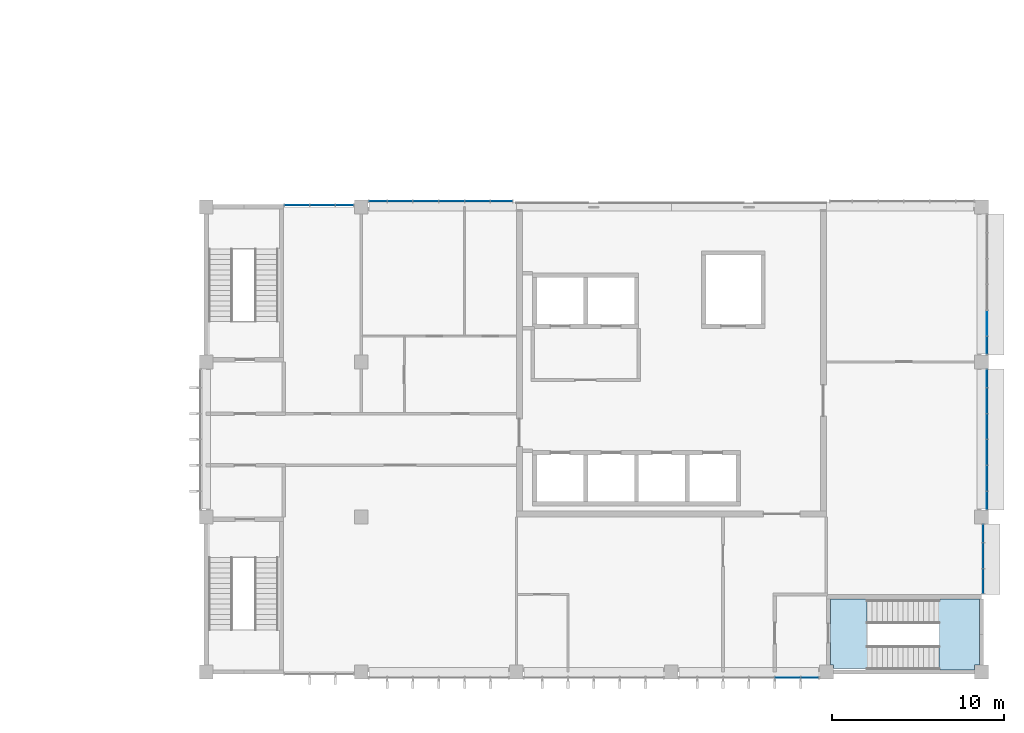
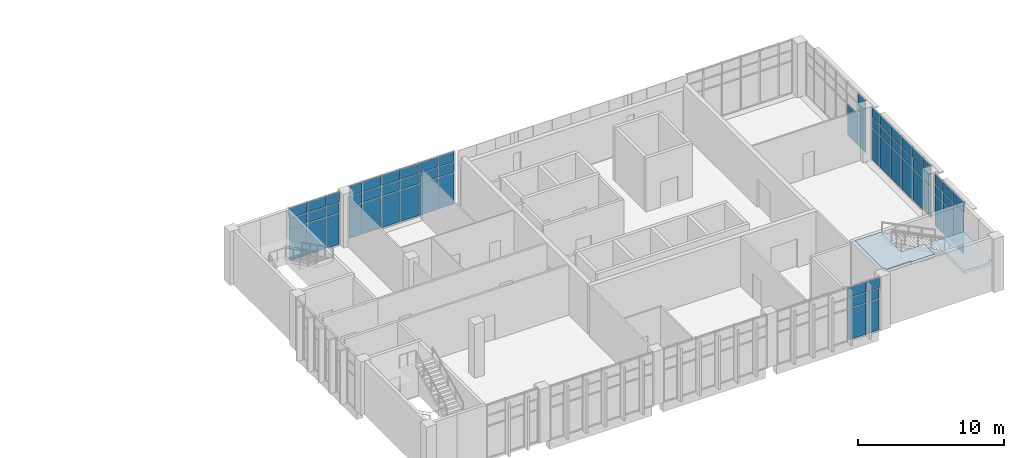
# One storey, part 20 of 40: 64 plates, 2 slabs, 7 elements without a shape of their own.
"""IFC4 building model written with IfcOpenShell, lengths in metres."""

from ifc_helpers import new_model, si_unit, direction, frame, origin, origin_2d, place, context, subcontext, project, spatial, polyline, rectangle, outline, extrude, material, layer, layer_set, type_object, element, aggregate, save


model = new_model("IFC4")

# Units and contexts
model_context = context("Model", 3, precision=1e-05, world=origin(), true_north=direction((0.0, 1.0)))
body_context = subcontext(model_context, "Body", "Model", "MODEL_VIEW")
ifc_project = project(units=[si_unit("LENGTHUNIT", "METRE"), si_unit("AREAUNIT", "SQUARE_METRE"), si_unit("VOLUMEUNIT", "CUBIC_METRE"), si_unit("PLANEANGLEUNIT", "RADIAN"), si_unit("MASSUNIT", "GRAM", prefix="KILO")], contexts=[model_context])

# Site, building, storey
site_placement = place(None, origin())
site = spatial("IfcSite", under=ifc_project, at=site_placement, CompositionType="ELEMENT")
building_placement = place(site_placement, origin())
building = spatial("IfcBuilding", under=site, at=building_placement, Name="Guidao Yard Department Store", CompositionType="ELEMENT")
storey_placement = place(building_placement, frame((0.0, 0.0, 24.0)))
storey = spatial("IfcBuildingStorey", under=building, at=storey_placement, Name="L05", CompositionType="ELEMENT", Elevation=24.0)

# Curtain wall, plates
ifc_material_1 = material(Name="Aluminium and glass", Category="aluminium")
ifc_layer_1 = layer(ifc_material_1, 0.159912109375)
ifc_layer_set_1 = layer_set([ifc_layer_1], Name="Unitised curtain wall CW4 1500 module")
curtain_wall_type = type_object("IfcCurtainWallType", Name="Unitised curtain wall CW4 1500 module", PredefinedType="NOTDEFINED", material=ifc_layer_set_1)
curtain_wall_1_placement = place(storey_placement, origin())
curtain_wall_1 = element("IfcCurtainWall", 1, at=curtain_wall_1_placement, inside=storey, type_object=curtain_wall_type, Name="Unitised curtain wall", PredefinedType="NOTDEFINED")
ifc_material_2 = material(Name="Aluminium 6063-T5 faced insulated spandrel", Category="aluminium")
ifc_layer_2 = layer(ifc_material_2, 0.06005859375)
ifc_layer_set_2 = layer_set([ifc_layer_2], Name="Spandrel panel SP1 insulated opaque")
plate_type_1 = type_object("IfcPlateType", Name="Spandrel panel SP1 insulated opaque", PredefinedType="CURTAIN_PANEL", material=ifc_layer_set_2)
plate_1_placement = place(storey_placement, frame((159.75, -0.330078125, 3.6298828125), z_axis=(0.0, 0.0, 1.0), x_axis=(-1.0, 0.0, 0.0)))
plate_1 = element("IfcPlate", 2, at=plate_1_placement, type_object=plate_type_1, Name="CW-OW-L05-04 panel 5.3", PredefinedType="CURTAIN_PANEL", context=body_context, shape_type="SweptSolid", body=[
    extrude(rectangle(XDim=1.43994140625, YDim=0.06005859375, at=origin_2d()), origin(), (0.0, 0.0, 1.0), 0.81005859375),
])
plate_2_placement = place(storey_placement, frame((161.034912109375, -0.330078125, 3.6298828125), z_axis=(0.0, 0.0, 1.0), x_axis=(-1.0, 0.0, 0.0)))
plate_2 = element("IfcPlate", 3, at=plate_2_placement, type_object=plate_type_1, Name="CW-OW-L05-04 panel 6.3", PredefinedType="CURTAIN_PANEL", context=body_context, shape_type="SweptSolid", body=[
    extrude(rectangle(XDim=1.010009765625, YDim=0.06005859375, at=origin_2d()), origin(), (0.0, 0.0, 1.0), 0.81005859375),
])

curtain_wall_2_placement = place(storey_placement, origin())
curtain_wall_2 = element("IfcCurtainWall", 4, at=curtain_wall_2_placement, inside=storey, type_object=curtain_wall_type, Name="Unitised curtain wall", PredefinedType="NOTDEFINED")
plate_3_placement = place(storey_placement, frame((131.264892578125, 27.10009765625, 3.6298828125), z_axis=(0.0, 0.0, 1.0), x_axis=(1.0, 0.0, 0.0)))
plate_3 = element("IfcPlate", 5, at=plate_3_placement, type_object=plate_type_1, Name="CW-OW-L05-06 panel 1.3", PredefinedType="CURTAIN_PANEL", context=body_context, shape_type="SweptSolid", body=[
    extrude(rectangle(XDim=1.409912109375, YDim=0.06005859375, at=origin_2d()), origin(), (0.0, 0.0, 1.0), 0.81005859375),
])
plate_4_placement = place(storey_placement, frame((132.75, 27.10009765625, 3.6298828125), z_axis=(0.0, 0.0, 1.0), x_axis=(1.0, 0.0, 0.0)))
plate_4 = element("IfcPlate", 6, at=plate_4_placement, type_object=plate_type_1, Name="CW-OW-L05-06 panel 2.3", PredefinedType="CURTAIN_PANEL", context=body_context, shape_type="SweptSolid", body=[
    extrude(rectangle(XDim=1.43994140625, YDim=0.06005859375, at=origin_2d()), origin(), (0.0, 0.0, 1.0), 0.81005859375),
])
plate_5_placement = place(storey_placement, frame((134.034912109375, 27.10009765625, 3.6298828125), z_axis=(0.0, 0.0, 1.0), x_axis=(1.0, 0.0, 0.0)))
plate_5 = element("IfcPlate", 7, at=plate_5_placement, type_object=plate_type_1, Name="CW-OW-L05-06 panel 3.3", PredefinedType="CURTAIN_PANEL", context=body_context, shape_type="SweptSolid", body=[
    extrude(rectangle(XDim=1.010009765625, YDim=0.06005859375, at=origin_2d()), origin(), (0.0, 0.0, 1.0), 0.81005859375),
])

curtain_wall_3_placement = place(storey_placement, origin())
curtain_wall_3 = element("IfcCurtainWall", 8, at=curtain_wall_3_placement, inside=storey, type_object=curtain_wall_type, Name="Unitised curtain wall", PredefinedType="NOTDEFINED")
plate_6_placement = place(storey_placement, frame((135.965087890625, 27.330078125, 3.6298828125), z_axis=(0.0, 0.0, 1.0), x_axis=(1.0, 0.0, 0.0)))
plate_6 = element("IfcPlate", 9, at=plate_6_placement, type_object=plate_type_1, Name="CW-OW-L05-07 panel 1.3", PredefinedType="CURTAIN_PANEL", context=body_context, shape_type="SweptSolid", body=[
    extrude(rectangle(XDim=1.010009765625, YDim=0.06005859375, at=origin_2d()), origin(), (0.0, 0.0, 1.0), 0.81005859375),
])
plate_7_placement = place(storey_placement, frame((137.25, 27.330078125, 3.6298828125), z_axis=(0.0, 0.0, 1.0), x_axis=(1.0, 0.0, 0.0)))
plate_7 = element("IfcPlate", 10, at=plate_7_placement, type_object=plate_type_1, Name="CW-OW-L05-07 panel 2.3", PredefinedType="CURTAIN_PANEL", context=body_context, shape_type="SweptSolid", body=[
    extrude(rectangle(XDim=1.43994140625, YDim=0.06005859375, at=origin_2d()), origin(), (0.0, 0.0, 1.0), 0.81005859375),
])
plate_8_placement = place(storey_placement, frame((138.75, 27.330078125, 3.6298828125), z_axis=(0.0, 0.0, 1.0), x_axis=(1.0, 0.0, 0.0)))
plate_8 = element("IfcPlate", 11, at=plate_8_placement, type_object=plate_type_1, Name="CW-OW-L05-07 panel 3.3", PredefinedType="CURTAIN_PANEL", context=body_context, shape_type="SweptSolid", body=[
    extrude(rectangle(XDim=1.43994140625, YDim=0.06005859375, at=origin_2d()), origin(), (0.0, 0.0, 1.0), 0.81005859375),
])
plate_9_placement = place(storey_placement, frame((140.25, 27.330078125, 3.6298828125), z_axis=(0.0, 0.0, 1.0), x_axis=(1.0, 0.0, 0.0)))
plate_9 = element("IfcPlate", 12, at=plate_9_placement, type_object=plate_type_1, Name="CW-OW-L05-07 panel 4.3", PredefinedType="CURTAIN_PANEL", context=body_context, shape_type="SweptSolid", body=[
    extrude(rectangle(XDim=1.43994140625, YDim=0.06005859375, at=origin_2d()), origin(), (0.0, 0.0, 1.0), 0.81005859375),
])
plate_10_placement = place(storey_placement, frame((141.75, 27.330078125, 3.6298828125), z_axis=(0.0, 0.0, 1.0), x_axis=(1.0, 0.0, 0.0)))
plate_10 = element("IfcPlate", 13, at=plate_10_placement, type_object=plate_type_1, Name="CW-OW-L05-07 panel 5.3", PredefinedType="CURTAIN_PANEL", context=body_context, shape_type="SweptSolid", body=[
    extrude(rectangle(XDim=1.43994140625, YDim=0.06005859375, at=origin_2d()), origin(), (0.0, 0.0, 1.0), 0.81005859375),
])
plate_11_placement = place(storey_placement, frame((143.1474609375, 27.330078125, 3.6298828125), z_axis=(0.0, 0.0, 1.0), x_axis=(1.0, 0.0, 0.0)))
plate_11 = element("IfcPlate", 14, at=plate_11_placement, type_object=plate_type_1, Name="CW-OW-L05-07 panel 6.3", PredefinedType="CURTAIN_PANEL", context=body_context, shape_type="SweptSolid", body=[
    extrude(rectangle(XDim=1.235107421875, YDim=0.06005859375, at=origin_2d()), origin(), (0.0, 0.0, 1.0), 0.81005859375),
])

curtain_wall_4_placement = place(storey_placement, origin())
curtain_wall_4 = element("IfcCurtainWall", 15, at=curtain_wall_4_placement, inside=storey, type_object=curtain_wall_type, Name="Unitised curtain wall", PredefinedType="NOTDEFINED")
plate_12_placement = place(storey_placement, frame((171.10009765625, 5.264892578125, 3.6298828125), z_axis=(0.0, 0.0, 1.0), x_axis=(0.0, -1.0, 0.0)))
plate_12 = element("IfcPlate", 16, at=plate_12_placement, type_object=plate_type_1, Name="CW-OW-L05-09 panel 1.3", PredefinedType="CURTAIN_PANEL", context=body_context, shape_type="SweptSolid", body=[
    extrude(rectangle(XDim=1.409912109375, YDim=0.06005859375, at=origin_2d()), origin(), (0.0, 0.0, 1.0), 0.81005859375),
])
plate_13_placement = place(storey_placement, frame((171.10009765625, 6.75, 3.6298828125), z_axis=(0.0, 0.0, 1.0), x_axis=(0.0, -1.0, 0.0)))
plate_13 = element("IfcPlate", 17, at=plate_13_placement, type_object=plate_type_1, Name="CW-OW-L05-09 panel 2.3", PredefinedType="CURTAIN_PANEL", context=body_context, shape_type="SweptSolid", body=[
    extrude(rectangle(XDim=1.43994140625, YDim=0.06005859375, at=origin_2d()), origin(), (0.0, 0.0, 1.0), 0.81005859375),
])
plate_14_placement = place(storey_placement, frame((171.10009765625, 8.034912109375, 3.6298828125), z_axis=(0.0, 0.0, 1.0), x_axis=(0.0, -1.0, 0.0)))
plate_14 = element("IfcPlate", 18, at=plate_14_placement, type_object=plate_type_1, Name="CW-OW-L05-09 panel 3.3", PredefinedType="CURTAIN_PANEL", context=body_context, shape_type="SweptSolid", body=[
    extrude(rectangle(XDim=1.010009765625, YDim=0.06005859375, at=origin_2d()), origin(), (0.0, 0.0, 1.0), 0.81005859375),
])

curtain_wall_5_placement = place(storey_placement, origin())
curtain_wall_5 = element("IfcCurtainWall", 19, at=curtain_wall_5_placement, inside=storey, type_object=curtain_wall_type, Name="Unitised curtain wall", PredefinedType="NOTDEFINED")
plate_15_placement = place(storey_placement, frame((171.330078125, 9.965087890625, 3.6298828125), z_axis=(0.0, 0.0, 1.0), x_axis=(0.0, -1.0, 0.0)))
plate_15 = element("IfcPlate", 20, at=plate_15_placement, type_object=plate_type_1, Name="CW-OW-L05-10 panel 1.3", PredefinedType="CURTAIN_PANEL", context=body_context, shape_type="SweptSolid", body=[
    extrude(rectangle(XDim=1.010009765625, YDim=0.06005859375, at=origin_2d()), origin(), (0.0, 0.0, 1.0), 0.81005859375),
])
plate_16_placement = place(storey_placement, frame((171.330078125, 11.25, 3.6298828125), z_axis=(0.0, 0.0, 1.0), x_axis=(0.0, -1.0, 0.0)))
plate_16 = element("IfcPlate", 21, at=plate_16_placement, type_object=plate_type_1, Name="CW-OW-L05-10 panel 2.3", PredefinedType="CURTAIN_PANEL", context=body_context, shape_type="SweptSolid", body=[
    extrude(rectangle(XDim=1.43994140625, YDim=0.06005859375, at=origin_2d()), origin(), (0.0, 0.0, 1.0), 0.81005859375),
])
plate_17_placement = place(storey_placement, frame((171.330078125, 12.75, 3.6298828125), z_axis=(0.0, 0.0, 1.0), x_axis=(0.0, -1.0, 0.0)))
plate_17 = element("IfcPlate", 22, at=plate_17_placement, type_object=plate_type_1, Name="CW-OW-L05-10 panel 3.3", PredefinedType="CURTAIN_PANEL", context=body_context, shape_type="SweptSolid", body=[
    extrude(rectangle(XDim=1.43994140625, YDim=0.06005859375, at=origin_2d()), origin(), (0.0, 0.0, 1.0), 0.81005859375),
])
plate_18_placement = place(storey_placement, frame((171.330078125, 14.25, 3.6298828125), z_axis=(0.0, 0.0, 1.0), x_axis=(0.0, -1.0, 0.0)))
plate_18 = element("IfcPlate", 23, at=plate_18_placement, type_object=plate_type_1, Name="CW-OW-L05-10 panel 4.3", PredefinedType="CURTAIN_PANEL", context=body_context, shape_type="SweptSolid", body=[
    extrude(rectangle(XDim=1.43994140625, YDim=0.06005859375, at=origin_2d()), origin(), (0.0, 0.0, 1.0), 0.81005859375),
])
plate_19_placement = place(storey_placement, frame((171.330078125, 15.75, 3.6298828125), z_axis=(0.0, 0.0, 1.0), x_axis=(0.0, -1.0, 0.0)))
plate_19 = element("IfcPlate", 24, at=plate_19_placement, type_object=plate_type_1, Name="CW-OW-L05-10 panel 5.3", PredefinedType="CURTAIN_PANEL", context=body_context, shape_type="SweptSolid", body=[
    extrude(rectangle(XDim=1.43994140625, YDim=0.06005859375, at=origin_2d()), origin(), (0.0, 0.0, 1.0), 0.81005859375),
])
plate_20_placement = place(storey_placement, frame((171.330078125, 17.034912109375, 3.6298828125), z_axis=(0.0, 0.0, 1.0), x_axis=(0.0, -1.0, 0.0)))
plate_20 = element("IfcPlate", 25, at=plate_20_placement, type_object=plate_type_1, Name="CW-OW-L05-10 panel 6.3", PredefinedType="CURTAIN_PANEL", context=body_context, shape_type="SweptSolid", body=[
    extrude(rectangle(XDim=1.010009765625, YDim=0.06005859375, at=origin_2d()), origin(), (0.0, 0.0, 1.0), 0.81005859375),
])

# Curtain wall, plate
curtain_wall_6_placement = place(storey_placement, origin())
curtain_wall_6 = element("IfcCurtainWall", 26, at=curtain_wall_6_placement, inside=storey, type_object=curtain_wall_type, Name="Unitised curtain wall", PredefinedType="NOTDEFINED")
plate_21_placement = place(storey_placement, frame((171.330078125, 18.965087890625, 3.6298828125), z_axis=(0.0, 0.0, 1.0), x_axis=(0.0, -1.0, 0.0)))
plate_21 = element("IfcPlate", 27, at=plate_21_placement, type_object=plate_type_1, Name="CW-OW-L05-11 panel 1.3", PredefinedType="CURTAIN_PANEL", context=body_context, shape_type="SweptSolid", body=[
    extrude(rectangle(XDim=1.010009765625, YDim=0.06005859375, at=origin_2d()), origin(), (0.0, 0.0, 1.0), 0.81005859375),
])

# Stair, slabs
ifc_material_3 = material(Name="Concrete C35", Category="concrete")
stair_type = type_object("IfcStairType", Name="Stair half-turn two-flight 1400 wide 4.5 m rise", PredefinedType="HALF_TURN_STAIR", material=ifc_material_3)
stair_placement = place(storey_placement, origin())
stair = element("IfcStair", 28, at=stair_placement, inside=storey, type_object=stair_type, Name="Stair O2 L05 to L06", PredefinedType="HALF_TURN_STAIR")
ifc_material_4 = material(Name="Concrete C35", Category="concrete")
ifc_layer_3 = layer(ifc_material_4, 0.25)
ifc_layer_set_3 = layer_set([ifc_layer_3], Name="Stair landing RC 250 C35")
slab_type = type_object("IfcSlabType", Name="Stair landing RC 250 C35", PredefinedType="LANDING", material=ifc_layer_set_3)
slab_1_placement = place(storey_placement, frame((0.0, 0.0, 2.0)))
slab_1 = element("IfcSlab", 29, at=slab_1_placement, type_object=slab_type, Name="SO2-L05 landing 1", PredefinedType="LANDING", context=body_context, shape_type="SweptSolid", body=[
    extrude(outline(polyline([(168.550048828125, 1.52490234375), (168.550048828125, 2.800048828125), (166.719970703125, 2.800048828125), (166.719970703125, 4.199951171875), (168.550048828125, 4.199951171875), (168.550048828125, 4.25), (170.875, 4.25), (170.875, 0.39990234375), (170.60009765625, 0.39990234375), (170.60009765625, 0.125), (168.550048828125, 0.125), (168.5400390625, 0.125), (168.5400390625, 1.52490234375), (168.550048828125, 1.52490234375)])), origin(), (0.0, 0.0, 1.0), 0.25),
])
slab_2_placement = place(storey_placement, frame((0.0, 0.0, 4.25)))
slab_2 = element("IfcSlab", 30, at=slab_2_placement, type_object=slab_type, Name="SO2-L05 landing 2", PredefinedType="LANDING", context=body_context, shape_type="SweptSolid", body=[
    extrude(outline(polyline([(164.35009765625, 0.125), (164.35009765625, 0.199951171875), (162.39990234375, 0.199951171875), (162.39990234375, 0.39990234375), (162.25, 0.39990234375), (162.25, 2.800048828125), (162.25, 4.25), (164.360107421875, 4.25), (164.360107421875, 2.800048828125), (164.35009765625, 2.800048828125), (164.35009765625, 1.52490234375), (166.179931640625, 1.52490234375), (166.179931640625, 0.125), (164.35009765625, 0.125)])), origin(), (0.0, 0.0, 1.0), 0.25),
])
aggregate(stair, [slab_1, slab_2])

# Plate
ifc_material_5 = material(Name="Laminated heat-soaked tempered glass", Category="glass")
ifc_layer_4 = layer(ifc_material_5, 0.017578125)
ifc_layer_set_4 = layer_set([ifc_layer_4], Name="Vision glass VG1 laminated heat-soaked tempered 8+8")
plate_type_2 = type_object("IfcPlateType", Name="Vision glass VG1 laminated heat-soaked tempered 8+8", PredefinedType="CURTAIN_PANEL", material=ifc_layer_set_4)
plate_22_placement = place(storey_placement, frame((159.75, -0.330078125, 0.06005859375), z_axis=(0.0, 0.0, 1.0), x_axis=(-1.0, 0.0, 0.0)))
plate_22 = element("IfcPlate", 31, at=plate_22_placement, type_object=plate_type_2, Name="CW-OW-L05-04 panel 5.1", PredefinedType="CURTAIN_PANEL", context=body_context, shape_type="SweptSolid", body=[
    extrude(rectangle(XDim=1.43994140625, YDim=0.017578125, at=origin_2d()), origin(), (0.0, 0.0, 1.0), 2.610107421875),
])

plate_23_placement = place(storey_placement, frame((159.75, -0.330078125, 2.72998046875), z_axis=(0.0, 0.0, 1.0), x_axis=(-1.0, 0.0, 0.0)))
plate_23 = element("IfcPlate", 32, at=plate_23_placement, type_object=plate_type_2, Name="CW-OW-L05-04 panel 5.2", PredefinedType="CURTAIN_PANEL", context=body_context, shape_type="SweptSolid", body=[
    extrude(rectangle(XDim=1.43994140625, YDim=0.017578125, at=origin_2d()), origin(), (0.0, 0.0, 1.0), 0.840087890625),
])

plate_24_placement = place(storey_placement, frame((161.034912109375, -0.330078125, 0.06005859375), z_axis=(0.0, 0.0, 1.0), x_axis=(-1.0, 0.0, 0.0)))
plate_24 = element("IfcPlate", 33, at=plate_24_placement, type_object=plate_type_2, Name="CW-OW-L05-04 panel 6.1", PredefinedType="CURTAIN_PANEL", context=body_context, shape_type="SweptSolid", body=[
    extrude(rectangle(XDim=1.010009765625, YDim=0.017578125, at=origin_2d()), origin(), (0.0, 0.0, 1.0), 2.610107421875),
])

plate_25_placement = place(storey_placement, frame((161.034912109375, -0.330078125, 2.72998046875), z_axis=(0.0, 0.0, 1.0), x_axis=(-1.0, 0.0, 0.0)))
plate_25 = element("IfcPlate", 34, at=plate_25_placement, type_object=plate_type_2, Name="CW-OW-L05-04 panel 6.2", PredefinedType="CURTAIN_PANEL", context=body_context, shape_type="SweptSolid", body=[
    extrude(rectangle(XDim=1.010009765625, YDim=0.017578125, at=origin_2d()), origin(), (0.0, 0.0, 1.0), 0.840087890625),
])

aggregate(curtain_wall_1, [plate_22, plate_23, plate_1, plate_24, plate_25, plate_2])

plate_26_placement = place(storey_placement, frame((131.264892578125, 27.10009765625, 0.06005859375), z_axis=(0.0, 0.0, 1.0), x_axis=(1.0, 0.0, 0.0)))
plate_26 = element("IfcPlate", 35, at=plate_26_placement, type_object=plate_type_2, Name="CW-OW-L05-06 panel 1.1", PredefinedType="CURTAIN_PANEL", context=body_context, shape_type="SweptSolid", body=[
    extrude(rectangle(XDim=1.409912109375, YDim=0.017578125, at=origin_2d()), origin(), (0.0, 0.0, 1.0), 2.610107421875),
])

plate_27_placement = place(storey_placement, frame((131.264892578125, 27.10009765625, 2.72998046875), z_axis=(0.0, 0.0, 1.0), x_axis=(1.0, 0.0, 0.0)))
plate_27 = element("IfcPlate", 36, at=plate_27_placement, type_object=plate_type_2, Name="CW-OW-L05-06 panel 1.2", PredefinedType="CURTAIN_PANEL", context=body_context, shape_type="SweptSolid", body=[
    extrude(rectangle(XDim=1.409912109375, YDim=0.017578125, at=origin_2d()), origin(), (0.0, 0.0, 1.0), 0.840087890625),
])

plate_28_placement = place(storey_placement, frame((132.75, 27.10009765625, 0.06005859375), z_axis=(0.0, 0.0, 1.0), x_axis=(1.0, 0.0, 0.0)))
plate_28 = element("IfcPlate", 37, at=plate_28_placement, type_object=plate_type_2, Name="CW-OW-L05-06 panel 2.1", PredefinedType="CURTAIN_PANEL", context=body_context, shape_type="SweptSolid", body=[
    extrude(rectangle(XDim=1.43994140625, YDim=0.017578125, at=origin_2d()), origin(), (0.0, 0.0, 1.0), 2.610107421875),
])

plate_29_placement = place(storey_placement, frame((132.75, 27.10009765625, 2.72998046875), z_axis=(0.0, 0.0, 1.0), x_axis=(1.0, 0.0, 0.0)))
plate_29 = element("IfcPlate", 38, at=plate_29_placement, type_object=plate_type_2, Name="CW-OW-L05-06 panel 2.2", PredefinedType="CURTAIN_PANEL", context=body_context, shape_type="SweptSolid", body=[
    extrude(rectangle(XDim=1.43994140625, YDim=0.017578125, at=origin_2d()), origin(), (0.0, 0.0, 1.0), 0.840087890625),
])

plate_30_placement = place(storey_placement, frame((134.034912109375, 27.10009765625, 0.06005859375), z_axis=(0.0, 0.0, 1.0), x_axis=(1.0, 0.0, 0.0)))
plate_30 = element("IfcPlate", 39, at=plate_30_placement, type_object=plate_type_2, Name="CW-OW-L05-06 panel 3.1", PredefinedType="CURTAIN_PANEL", context=body_context, shape_type="SweptSolid", body=[
    extrude(rectangle(XDim=1.010009765625, YDim=0.017578125, at=origin_2d()), origin(), (0.0, 0.0, 1.0), 2.610107421875),
])

plate_31_placement = place(storey_placement, frame((134.034912109375, 27.10009765625, 2.72998046875), z_axis=(0.0, 0.0, 1.0), x_axis=(1.0, 0.0, 0.0)))
plate_31 = element("IfcPlate", 40, at=plate_31_placement, type_object=plate_type_2, Name="CW-OW-L05-06 panel 3.2", PredefinedType="CURTAIN_PANEL", context=body_context, shape_type="SweptSolid", body=[
    extrude(rectangle(XDim=1.010009765625, YDim=0.017578125, at=origin_2d()), origin(), (0.0, 0.0, 1.0), 0.840087890625),
])

aggregate(curtain_wall_2, [plate_26, plate_27, plate_3, plate_28, plate_29, plate_4, plate_30, plate_31, plate_5])

plate_32_placement = place(storey_placement, frame((135.965087890625, 27.330078125, 0.06005859375), z_axis=(0.0, 0.0, 1.0), x_axis=(1.0, 0.0, 0.0)))
plate_32 = element("IfcPlate", 41, at=plate_32_placement, type_object=plate_type_2, Name="CW-OW-L05-07 panel 1.1", PredefinedType="CURTAIN_PANEL", context=body_context, shape_type="SweptSolid", body=[
    extrude(rectangle(XDim=1.010009765625, YDim=0.017578125, at=origin_2d()), origin(), (0.0, 0.0, 1.0), 2.610107421875),
])

plate_33_placement = place(storey_placement, frame((135.965087890625, 27.330078125, 2.72998046875), z_axis=(0.0, 0.0, 1.0), x_axis=(1.0, 0.0, 0.0)))
plate_33 = element("IfcPlate", 42, at=plate_33_placement, type_object=plate_type_2, Name="CW-OW-L05-07 panel 1.2", PredefinedType="CURTAIN_PANEL", context=body_context, shape_type="SweptSolid", body=[
    extrude(rectangle(XDim=1.010009765625, YDim=0.017578125, at=origin_2d()), origin(), (0.0, 0.0, 1.0), 0.840087890625),
])

plate_34_placement = place(storey_placement, frame((137.25, 27.330078125, 0.06005859375), z_axis=(0.0, 0.0, 1.0), x_axis=(1.0, 0.0, 0.0)))
plate_34 = element("IfcPlate", 43, at=plate_34_placement, type_object=plate_type_2, Name="CW-OW-L05-07 panel 2.1", PredefinedType="CURTAIN_PANEL", context=body_context, shape_type="SweptSolid", body=[
    extrude(rectangle(XDim=1.43994140625, YDim=0.017578125, at=origin_2d()), origin(), (0.0, 0.0, 1.0), 2.610107421875),
])

plate_35_placement = place(storey_placement, frame((137.25, 27.330078125, 2.72998046875), z_axis=(0.0, 0.0, 1.0), x_axis=(1.0, 0.0, 0.0)))
plate_35 = element("IfcPlate", 44, at=plate_35_placement, type_object=plate_type_2, Name="CW-OW-L05-07 panel 2.2", PredefinedType="CURTAIN_PANEL", context=body_context, shape_type="SweptSolid", body=[
    extrude(rectangle(XDim=1.43994140625, YDim=0.017578125, at=origin_2d()), origin(), (0.0, 0.0, 1.0), 0.840087890625),
])

plate_36_placement = place(storey_placement, frame((138.75, 27.330078125, 0.06005859375), z_axis=(0.0, 0.0, 1.0), x_axis=(1.0, 0.0, 0.0)))
plate_36 = element("IfcPlate", 45, at=plate_36_placement, type_object=plate_type_2, Name="CW-OW-L05-07 panel 3.1", PredefinedType="CURTAIN_PANEL", context=body_context, shape_type="SweptSolid", body=[
    extrude(rectangle(XDim=1.43994140625, YDim=0.017578125, at=origin_2d()), origin(), (0.0, 0.0, 1.0), 2.610107421875),
])

plate_37_placement = place(storey_placement, frame((138.75, 27.330078125, 2.72998046875), z_axis=(0.0, 0.0, 1.0), x_axis=(1.0, 0.0, 0.0)))
plate_37 = element("IfcPlate", 46, at=plate_37_placement, type_object=plate_type_2, Name="CW-OW-L05-07 panel 3.2", PredefinedType="CURTAIN_PANEL", context=body_context, shape_type="SweptSolid", body=[
    extrude(rectangle(XDim=1.43994140625, YDim=0.017578125, at=origin_2d()), origin(), (0.0, 0.0, 1.0), 0.840087890625),
])

plate_38_placement = place(storey_placement, frame((140.25, 27.330078125, 0.06005859375), z_axis=(0.0, 0.0, 1.0), x_axis=(1.0, 0.0, 0.0)))
plate_38 = element("IfcPlate", 47, at=plate_38_placement, type_object=plate_type_2, Name="CW-OW-L05-07 panel 4.1", PredefinedType="CURTAIN_PANEL", context=body_context, shape_type="SweptSolid", body=[
    extrude(rectangle(XDim=1.43994140625, YDim=0.017578125, at=origin_2d()), origin(), (0.0, 0.0, 1.0), 2.610107421875),
])

plate_39_placement = place(storey_placement, frame((140.25, 27.330078125, 2.72998046875), z_axis=(0.0, 0.0, 1.0), x_axis=(1.0, 0.0, 0.0)))
plate_39 = element("IfcPlate", 48, at=plate_39_placement, type_object=plate_type_2, Name="CW-OW-L05-07 panel 4.2", PredefinedType="CURTAIN_PANEL", context=body_context, shape_type="SweptSolid", body=[
    extrude(rectangle(XDim=1.43994140625, YDim=0.017578125, at=origin_2d()), origin(), (0.0, 0.0, 1.0), 0.840087890625),
])

plate_40_placement = place(storey_placement, frame((141.75, 27.330078125, 0.06005859375), z_axis=(0.0, 0.0, 1.0), x_axis=(1.0, 0.0, 0.0)))
plate_40 = element("IfcPlate", 49, at=plate_40_placement, type_object=plate_type_2, Name="CW-OW-L05-07 panel 5.1", PredefinedType="CURTAIN_PANEL", context=body_context, shape_type="SweptSolid", body=[
    extrude(rectangle(XDim=1.43994140625, YDim=0.017578125, at=origin_2d()), origin(), (0.0, 0.0, 1.0), 2.610107421875),
])

plate_41_placement = place(storey_placement, frame((141.75, 27.330078125, 2.72998046875), z_axis=(0.0, 0.0, 1.0), x_axis=(1.0, 0.0, 0.0)))
plate_41 = element("IfcPlate", 50, at=plate_41_placement, type_object=plate_type_2, Name="CW-OW-L05-07 panel 5.2", PredefinedType="CURTAIN_PANEL", context=body_context, shape_type="SweptSolid", body=[
    extrude(rectangle(XDim=1.43994140625, YDim=0.017578125, at=origin_2d()), origin(), (0.0, 0.0, 1.0), 0.840087890625),
])

plate_42_placement = place(storey_placement, frame((143.1474609375, 27.330078125, 0.06005859375), z_axis=(0.0, 0.0, 1.0), x_axis=(1.0, 0.0, 0.0)))
plate_42 = element("IfcPlate", 51, at=plate_42_placement, type_object=plate_type_2, Name="CW-OW-L05-07 panel 6.1", PredefinedType="CURTAIN_PANEL", context=body_context, shape_type="SweptSolid", body=[
    extrude(rectangle(XDim=1.235107421875, YDim=0.017578125, at=origin_2d()), origin(), (0.0, 0.0, 1.0), 2.610107421875),
])

plate_43_placement = place(storey_placement, frame((143.1474609375, 27.330078125, 2.72998046875), z_axis=(0.0, 0.0, 1.0), x_axis=(1.0, 0.0, 0.0)))
plate_43 = element("IfcPlate", 52, at=plate_43_placement, type_object=plate_type_2, Name="CW-OW-L05-07 panel 6.2", PredefinedType="CURTAIN_PANEL", context=body_context, shape_type="SweptSolid", body=[
    extrude(rectangle(XDim=1.235107421875, YDim=0.017578125, at=origin_2d()), origin(), (0.0, 0.0, 1.0), 0.840087890625),
])

aggregate(curtain_wall_3, [plate_32, plate_33, plate_6, plate_34, plate_35, plate_7, plate_36, plate_37, plate_8, plate_38, plate_39, plate_9, plate_40, plate_41, plate_10, plate_42, plate_43, plate_11])

plate_44_placement = place(storey_placement, frame((171.10009765625, 5.264892578125, 0.06005859375), z_axis=(0.0, 0.0, 1.0), x_axis=(0.0, -1.0, 0.0)))
plate_44 = element("IfcPlate", 53, at=plate_44_placement, type_object=plate_type_2, Name="CW-OW-L05-09 panel 1.1", PredefinedType="CURTAIN_PANEL", context=body_context, shape_type="SweptSolid", body=[
    extrude(rectangle(XDim=1.409912109375, YDim=0.017578125, at=origin_2d()), origin(), (0.0, 0.0, 1.0), 2.610107421875),
])

plate_45_placement = place(storey_placement, frame((171.10009765625, 5.264892578125, 2.72998046875), z_axis=(0.0, 0.0, 1.0), x_axis=(0.0, -1.0, 0.0)))
plate_45 = element("IfcPlate", 54, at=plate_45_placement, type_object=plate_type_2, Name="CW-OW-L05-09 panel 1.2", PredefinedType="CURTAIN_PANEL", context=body_context, shape_type="SweptSolid", body=[
    extrude(rectangle(XDim=1.409912109375, YDim=0.017578125, at=origin_2d()), origin(), (0.0, 0.0, 1.0), 0.840087890625),
])

plate_46_placement = place(storey_placement, frame((171.10009765625, 6.75, 0.06005859375), z_axis=(0.0, 0.0, 1.0), x_axis=(0.0, -1.0, 0.0)))
plate_46 = element("IfcPlate", 55, at=plate_46_placement, type_object=plate_type_2, Name="CW-OW-L05-09 panel 2.1", PredefinedType="CURTAIN_PANEL", context=body_context, shape_type="SweptSolid", body=[
    extrude(rectangle(XDim=1.43994140625, YDim=0.017578125, at=origin_2d()), origin(), (0.0, 0.0, 1.0), 2.610107421875),
])

plate_47_placement = place(storey_placement, frame((171.10009765625, 6.75, 2.72998046875), z_axis=(0.0, 0.0, 1.0), x_axis=(0.0, -1.0, 0.0)))
plate_47 = element("IfcPlate", 56, at=plate_47_placement, type_object=plate_type_2, Name="CW-OW-L05-09 panel 2.2", PredefinedType="CURTAIN_PANEL", context=body_context, shape_type="SweptSolid", body=[
    extrude(rectangle(XDim=1.43994140625, YDim=0.017578125, at=origin_2d()), origin(), (0.0, 0.0, 1.0), 0.840087890625),
])

plate_48_placement = place(storey_placement, frame((171.10009765625, 8.034912109375, 0.06005859375), z_axis=(0.0, 0.0, 1.0), x_axis=(0.0, -1.0, 0.0)))
plate_48 = element("IfcPlate", 57, at=plate_48_placement, type_object=plate_type_2, Name="CW-OW-L05-09 panel 3.1", PredefinedType="CURTAIN_PANEL", context=body_context, shape_type="SweptSolid", body=[
    extrude(rectangle(XDim=1.010009765625, YDim=0.017578125, at=origin_2d()), origin(), (0.0, 0.0, 1.0), 2.610107421875),
])

plate_49_placement = place(storey_placement, frame((171.10009765625, 8.034912109375, 2.72998046875), z_axis=(0.0, 0.0, 1.0), x_axis=(0.0, -1.0, 0.0)))
plate_49 = element("IfcPlate", 58, at=plate_49_placement, type_object=plate_type_2, Name="CW-OW-L05-09 panel 3.2", PredefinedType="CURTAIN_PANEL", context=body_context, shape_type="SweptSolid", body=[
    extrude(rectangle(XDim=1.010009765625, YDim=0.017578125, at=origin_2d()), origin(), (0.0, 0.0, 1.0), 0.840087890625),
])

aggregate(curtain_wall_4, [plate_44, plate_45, plate_12, plate_46, plate_47, plate_13, plate_48, plate_49, plate_14])

plate_50_placement = place(storey_placement, frame((171.330078125, 9.965087890625, 0.06005859375), z_axis=(0.0, 0.0, 1.0), x_axis=(0.0, -1.0, 0.0)))
plate_50 = element("IfcPlate", 59, at=plate_50_placement, type_object=plate_type_2, Name="CW-OW-L05-10 panel 1.1", PredefinedType="CURTAIN_PANEL", context=body_context, shape_type="SweptSolid", body=[
    extrude(rectangle(XDim=1.010009765625, YDim=0.017578125, at=origin_2d()), origin(), (0.0, 0.0, 1.0), 2.610107421875),
])

plate_51_placement = place(storey_placement, frame((171.330078125, 9.965087890625, 2.72998046875), z_axis=(0.0, 0.0, 1.0), x_axis=(0.0, -1.0, 0.0)))
plate_51 = element("IfcPlate", 60, at=plate_51_placement, type_object=plate_type_2, Name="CW-OW-L05-10 panel 1.2", PredefinedType="CURTAIN_PANEL", context=body_context, shape_type="SweptSolid", body=[
    extrude(rectangle(XDim=1.010009765625, YDim=0.017578125, at=origin_2d()), origin(), (0.0, 0.0, 1.0), 0.840087890625),
])

plate_52_placement = place(storey_placement, frame((171.330078125, 11.25, 0.06005859375), z_axis=(0.0, 0.0, 1.0), x_axis=(0.0, -1.0, 0.0)))
plate_52 = element("IfcPlate", 61, at=plate_52_placement, type_object=plate_type_2, Name="CW-OW-L05-10 panel 2.1", PredefinedType="CURTAIN_PANEL", context=body_context, shape_type="SweptSolid", body=[
    extrude(rectangle(XDim=1.43994140625, YDim=0.017578125, at=origin_2d()), origin(), (0.0, 0.0, 1.0), 2.610107421875),
])

plate_53_placement = place(storey_placement, frame((171.330078125, 11.25, 2.72998046875), z_axis=(0.0, 0.0, 1.0), x_axis=(0.0, -1.0, 0.0)))
plate_53 = element("IfcPlate", 62, at=plate_53_placement, type_object=plate_type_2, Name="CW-OW-L05-10 panel 2.2", PredefinedType="CURTAIN_PANEL", context=body_context, shape_type="SweptSolid", body=[
    extrude(rectangle(XDim=1.43994140625, YDim=0.017578125, at=origin_2d()), origin(), (0.0, 0.0, 1.0), 0.840087890625),
])

plate_54_placement = place(storey_placement, frame((171.330078125, 12.75, 0.06005859375), z_axis=(0.0, 0.0, 1.0), x_axis=(0.0, -1.0, 0.0)))
plate_54 = element("IfcPlate", 63, at=plate_54_placement, type_object=plate_type_2, Name="CW-OW-L05-10 panel 3.1", PredefinedType="CURTAIN_PANEL", context=body_context, shape_type="SweptSolid", body=[
    extrude(rectangle(XDim=1.43994140625, YDim=0.017578125, at=origin_2d()), origin(), (0.0, 0.0, 1.0), 2.610107421875),
])

plate_55_placement = place(storey_placement, frame((171.330078125, 12.75, 2.72998046875), z_axis=(0.0, 0.0, 1.0), x_axis=(0.0, -1.0, 0.0)))
plate_55 = element("IfcPlate", 64, at=plate_55_placement, type_object=plate_type_2, Name="CW-OW-L05-10 panel 3.2", PredefinedType="CURTAIN_PANEL", context=body_context, shape_type="SweptSolid", body=[
    extrude(rectangle(XDim=1.43994140625, YDim=0.017578125, at=origin_2d()), origin(), (0.0, 0.0, 1.0), 0.840087890625),
])

plate_56_placement = place(storey_placement, frame((171.330078125, 14.25, 0.06005859375), z_axis=(0.0, 0.0, 1.0), x_axis=(0.0, -1.0, 0.0)))
plate_56 = element("IfcPlate", 65, at=plate_56_placement, type_object=plate_type_2, Name="CW-OW-L05-10 panel 4.1", PredefinedType="CURTAIN_PANEL", context=body_context, shape_type="SweptSolid", body=[
    extrude(rectangle(XDim=1.43994140625, YDim=0.017578125, at=origin_2d()), origin(), (0.0, 0.0, 1.0), 2.610107421875),
])

plate_57_placement = place(storey_placement, frame((171.330078125, 14.25, 2.72998046875), z_axis=(0.0, 0.0, 1.0), x_axis=(0.0, -1.0, 0.0)))
plate_57 = element("IfcPlate", 66, at=plate_57_placement, type_object=plate_type_2, Name="CW-OW-L05-10 panel 4.2", PredefinedType="CURTAIN_PANEL", context=body_context, shape_type="SweptSolid", body=[
    extrude(rectangle(XDim=1.43994140625, YDim=0.017578125, at=origin_2d()), origin(), (0.0, 0.0, 1.0), 0.840087890625),
])

plate_58_placement = place(storey_placement, frame((171.330078125, 15.75, 0.06005859375), z_axis=(0.0, 0.0, 1.0), x_axis=(0.0, -1.0, 0.0)))
plate_58 = element("IfcPlate", 67, at=plate_58_placement, type_object=plate_type_2, Name="CW-OW-L05-10 panel 5.1", PredefinedType="CURTAIN_PANEL", context=body_context, shape_type="SweptSolid", body=[
    extrude(rectangle(XDim=1.43994140625, YDim=0.017578125, at=origin_2d()), origin(), (0.0, 0.0, 1.0), 2.610107421875),
])

plate_59_placement = place(storey_placement, frame((171.330078125, 15.75, 2.72998046875), z_axis=(0.0, 0.0, 1.0), x_axis=(0.0, -1.0, 0.0)))
plate_59 = element("IfcPlate", 68, at=plate_59_placement, type_object=plate_type_2, Name="CW-OW-L05-10 panel 5.2", PredefinedType="CURTAIN_PANEL", context=body_context, shape_type="SweptSolid", body=[
    extrude(rectangle(XDim=1.43994140625, YDim=0.017578125, at=origin_2d()), origin(), (0.0, 0.0, 1.0), 0.840087890625),
])

plate_60_placement = place(storey_placement, frame((171.330078125, 17.034912109375, 0.06005859375), z_axis=(0.0, 0.0, 1.0), x_axis=(0.0, -1.0, 0.0)))
plate_60 = element("IfcPlate", 69, at=plate_60_placement, type_object=plate_type_2, Name="CW-OW-L05-10 panel 6.1", PredefinedType="CURTAIN_PANEL", context=body_context, shape_type="SweptSolid", body=[
    extrude(rectangle(XDim=1.010009765625, YDim=0.017578125, at=origin_2d()), origin(), (0.0, 0.0, 1.0), 2.610107421875),
])

plate_61_placement = place(storey_placement, frame((171.330078125, 17.034912109375, 2.72998046875), z_axis=(0.0, 0.0, 1.0), x_axis=(0.0, -1.0, 0.0)))
plate_61 = element("IfcPlate", 70, at=plate_61_placement, type_object=plate_type_2, Name="CW-OW-L05-10 panel 6.2", PredefinedType="CURTAIN_PANEL", context=body_context, shape_type="SweptSolid", body=[
    extrude(rectangle(XDim=1.010009765625, YDim=0.017578125, at=origin_2d()), origin(), (0.0, 0.0, 1.0), 0.840087890625),
])

aggregate(curtain_wall_5, [plate_50, plate_51, plate_15, plate_52, plate_53, plate_16, plate_54, plate_55, plate_17, plate_56, plate_57, plate_18, plate_58, plate_59, plate_19, plate_60, plate_61, plate_20])

plate_62_placement = place(storey_placement, frame((171.330078125, 18.965087890625, 0.06005859375), z_axis=(0.0, 0.0, 1.0), x_axis=(0.0, -1.0, 0.0)))
plate_62 = element("IfcPlate", 71, at=plate_62_placement, type_object=plate_type_2, Name="CW-OW-L05-11 panel 1.1", PredefinedType="CURTAIN_PANEL", context=body_context, shape_type="SweptSolid", body=[
    extrude(rectangle(XDim=1.010009765625, YDim=0.017578125, at=origin_2d()), origin(), (0.0, 0.0, 1.0), 2.610107421875),
])

plate_63_placement = place(storey_placement, frame((171.330078125, 18.965087890625, 2.72998046875), z_axis=(0.0, 0.0, 1.0), x_axis=(0.0, -1.0, 0.0)))
plate_63 = element("IfcPlate", 72, at=plate_63_placement, type_object=plate_type_2, Name="CW-OW-L05-11 panel 1.2", PredefinedType="CURTAIN_PANEL", context=body_context, shape_type="SweptSolid", body=[
    extrude(rectangle(XDim=1.010009765625, YDim=0.017578125, at=origin_2d()), origin(), (0.0, 0.0, 1.0), 0.840087890625),
])

plate_64_placement = place(storey_placement, frame((171.330078125, 20.25, 0.06005859375), z_axis=(0.0, 0.0, 1.0), x_axis=(0.0, -1.0, 0.0)))
plate_64 = element("IfcPlate", 73, at=plate_64_placement, type_object=plate_type_2, Name="CW-OW-L05-11 panel 2.1", PredefinedType="CURTAIN_PANEL", context=body_context, shape_type="SweptSolid", body=[
    extrude(rectangle(XDim=1.43994140625, YDim=0.017578125, at=origin_2d()), origin(), (0.0, 0.0, 1.0), 2.610107421875),
])

aggregate(curtain_wall_6, [plate_62, plate_63, plate_21, plate_64])

save(model, "model.ifc")
